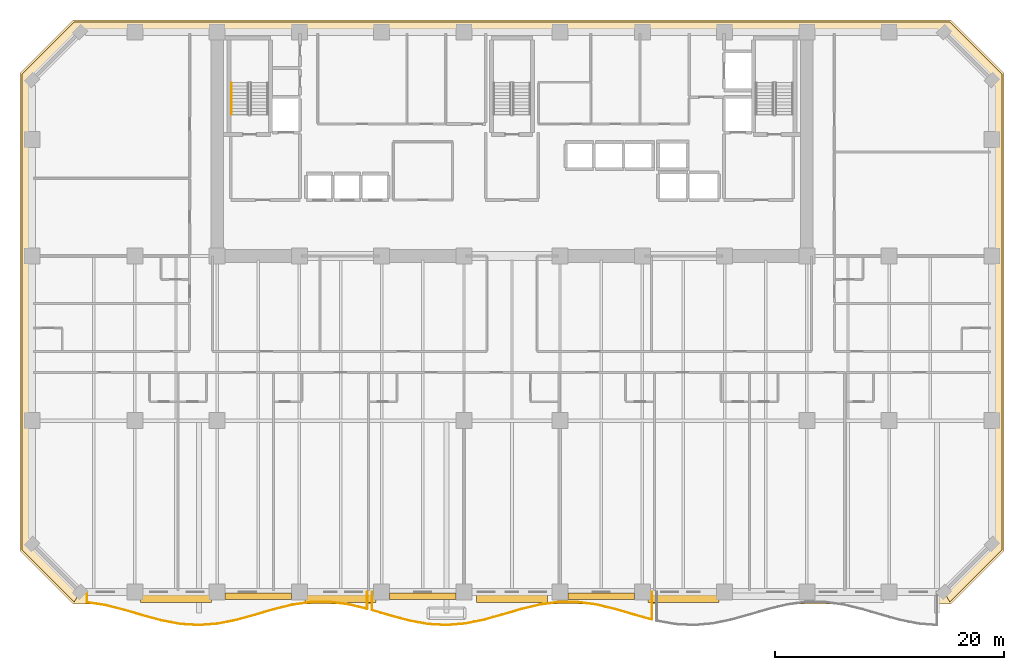
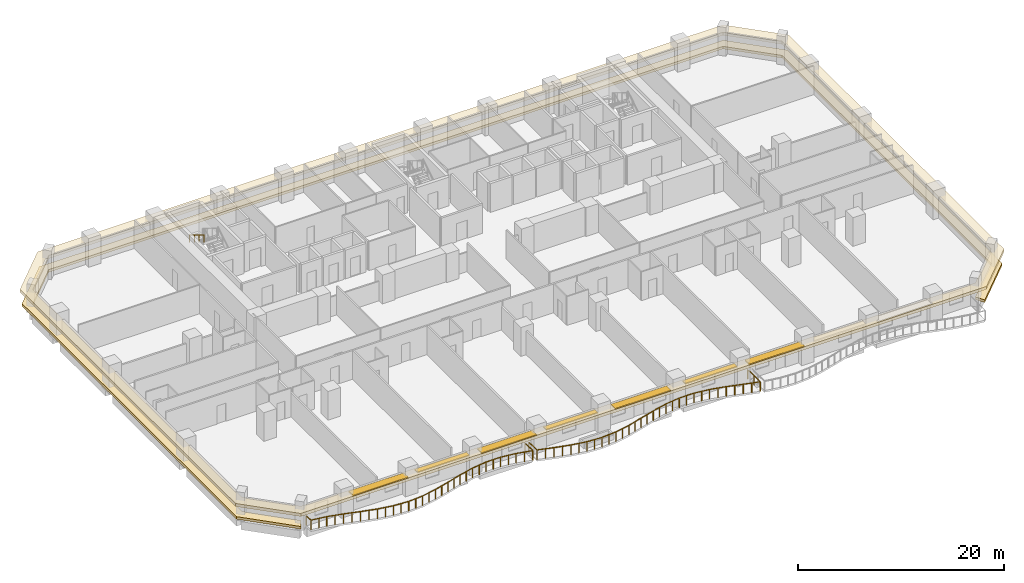
# One storey, part 11 of 14: 7 shading devices, 3 railings, 2 coverings.
"""IFC4 building model written with IfcOpenShell, lengths in metres."""

from ifc_helpers import new_model, si_unit, direction, frame, origin, origin_2d, place, context, subcontext, project, spatial, polyline, rectangle, outline, extrude, material, layer, layer_set, type_object, element, save


model = new_model("IFC4")

# Units and contexts
model_context = context("Model", 3, precision=1e-05, world=origin(), true_north=direction((0.0, 1.0)))
body_context = subcontext(model_context, "Body", "Model", "MODEL_VIEW")
ifc_project = project(units=[si_unit("LENGTHUNIT", "METRE"), si_unit("AREAUNIT", "SQUARE_METRE"), si_unit("VOLUMEUNIT", "CUBIC_METRE"), si_unit("PLANEANGLEUNIT", "RADIAN"), si_unit("MASSUNIT", "GRAM", prefix="KILO")], contexts=[model_context])

# Site, building, storey
site_placement = place(None, origin())
site = spatial("IfcSite", under=ifc_project, at=site_placement, CompositionType="ELEMENT")
building_placement = place(site_placement, origin())
building = spatial("IfcBuilding", under=site, at=building_placement, Name="Kaelvorn Grand Hotel", CompositionType="ELEMENT")
storey_placement = place(building_placement, frame((0.0, 0.0, 76.39990234375)))
storey = spatial("IfcBuildingStorey", under=building, at=storey_placement, Name="L17", CompositionType="ELEMENT", Elevation=76.39990234375)

# Coverings
ifc_material_1 = material(Name="Precast concrete C45/55", Category="concrete")
ifc_layer_1 = layer(ifc_material_1, 0.260009765625)
ifc_layer_set_1 = layer_set([ifc_layer_1], Name="Precast concrete C45/55")
covering_type_1 = type_object("IfcCoveringType", Name="COV-BAND-STREAMLINE-HEAD", PredefinedType="CLADDING", material=ifc_layer_set_1)
covering_1_placement = place(storey_placement, frame((0.0, 0.0, 2.070068359375)))
element("IfcCovering", 1, at=covering_1_placement, inside=storey, type_object=covering_type_1, Name="L17 Streamline Moderne Wraparound Horizontal Eyebrow Band", PredefinedType="CLADDING", context=body_context, shape_type="SweptSolid", body=[
    extrude(outline(polyline([(3.590087890625, -1.050048828125), (80.409912109375, -1.050048828125), (85.050048828125, 3.590087890625), (85.050048828125, 45.409912109375), (80.409912109375, 50.050048828125), (3.590087890625, 50.050048828125), (-1.050048828125, 45.409912109375), (-1.050048828125, 3.590087890625), (3.590087890625, -1.050048828125)]), holes=[polyline([(4.219970703125, 0.030029296875), (79.780029296875, 0.030029296875), (83.969970703125, 4.219970703125), (83.969970703125, 44.780029296875), (79.780029296875, 48.969970703125), (4.219970703125, 48.969970703125), (0.030029296875, 44.780029296875), (0.030029296875, 4.219970703125), (4.219970703125, 0.030029296875)])]), origin(), (0.0, 0.0, 1.0), 0.360107421875),
])
ifc_layer_2 = layer(ifc_material_1, 0.219970703125)
ifc_layer_set_2 = layer_set([ifc_layer_2], Name="Precast concrete C45/55")
covering_type_2 = type_object("IfcCoveringType", Name="COV-BAND-STREAMLINE-SILL", PredefinedType="CLADDING", material=ifc_layer_set_2)
covering_2_placement = place(storey_placement, frame((0.0, 0.0, 0.4501953125)))
element("IfcCovering", 2, at=covering_2_placement, inside=storey, type_object=covering_type_2, Name="L17 Streamline Moderne Wraparound Horizontal Sill Spandrel Band", PredefinedType="CLADDING", context=body_context, shape_type="SweptSolid", body=[
    extrude(outline(polyline([(80.3154296875, -0.8798828125), (84.8798828125, 3.6845703125), (84.8798828125, 45.3154296875), (80.3154296875, 49.8798828125), (3.6845703125, 49.8798828125), (-0.8798828125, 45.3154296875), (-0.8798828125, 3.6845703125), (3.6845703125, -0.8798828125), (4.217529296875, 0.030029296875), (0.030029296875, 4.217529296875), (0.030029296875, 44.782470703125), (4.217529296875, 48.969970703125), (79.782470703125, 48.969970703125), (83.969970703125, 44.782470703125), (83.969970703125, 4.217529296875), (79.782470703125, 0.030029296875), (80.3154296875, -0.8798828125)])), origin(), (0.0, 0.0, 1.0), 0.2998046875),
])

# Railings
ifc_material_2 = material(Name="Stainless Steel", Category="steel")
railing_type_1 = type_object("IfcRailingType", Name="RL-BALC-1150", PredefinedType="BALUSTRADE", material=ifc_material_2)
railing_1_placement = place(storey_placement, frame((4.800048828125, 0.0, 0.0)))
element("IfcRailing", 3, at=railing_1_placement, inside=storey, type_object=railing_type_1, Name="L17 Scalloped Wave Balcony Balustrade GR1-1", PredefinedType="BALUSTRADE", context=body_context, shape_type="SweptSolid", body=[
    extrude(rectangle(XDim=0.048095703125, YDim=0.048095703125, at=origin_2d()), frame((0.0, 0.0, 1.1259765625), z_axis=(0.0, -1.0, 0.0), x_axis=(1.0, 0.0, 0.0)), (0.0, 0.0, 1.0), 0.900146484375),
    extrude(rectangle(XDim=0.048095703125, YDim=0.048095703125, at=origin_2d()), frame((0.0, -0.900146484375, 1.1259765625), z_axis=(0.988207407969, -0.153121255332, 0.0), x_axis=(0.153121255332, 0.988207407969, 0.0)), (0.0, 0.0, 1.0), 1.655029296875),
    extrude(rectangle(XDim=0.048095703125, YDim=0.048095703125, at=origin_2d()), frame((1.635498046875, -1.153564453125, 1.1259765625), z_axis=(0.969483457617, -0.245156736409, 0.0), x_axis=(0.245156736409, 0.969483457617, 0.0)), (0.0, 0.0, 1.0), 1.68701171875),
    extrude(rectangle(XDim=0.048095703125, YDim=0.048095703125, at=origin_2d()), frame((3.27099609375, -1.567138671875, 1.1259765625), z_axis=(0.959233169968, -0.282615862316, 0.0), x_axis=(0.282615862316, 0.959233169968, 0.0)), (0.0, 0.0, 1.0), 1.705322265625),
    extrude(rectangle(XDim=0.048095703125, YDim=0.048095703125, at=origin_2d()), frame((4.90673828125, -2.049072265625, 1.1259765625), z_axis=(0.965164997987, -0.26164198184, 0.0), x_axis=(0.26164198184, 0.965164997987, 0.0)), (0.0, 0.0, 1.0), 1.694580078125),
    extrude(rectangle(XDim=0.048095703125, YDim=0.048095703125, at=origin_2d()), frame((6.542236328125, -2.492431640625, 1.1259765625), z_axis=(0.982926958604, -0.183996179443, 0.0), x_axis=(0.183996179443, 0.982926958604, 0.0)), (0.0, 0.0, 1.0), 1.663818359375),
    extrude(rectangle(XDim=0.048095703125, YDim=0.048095703125, at=origin_2d()), frame((8.177734375, -2.798583984375, 1.1259765625), z_axis=(0.998095816111, -0.061682589621, 0.0), x_axis=(0.061682589621, 0.998095816111, 0.0)), (0.0, 0.0, 1.0), 1.638671875),
    extrude(rectangle(XDim=0.048095703125, YDim=0.048095703125, at=origin_2d()), frame((9.813232421875, -2.899658203125, 1.1259765625), z_axis=(0.997023764101, 0.077094836514, 0.0), x_axis=(-0.077094836514, 0.997023764101, 0.0)), (0.0, 0.0, 1.0), 1.640380859375),
    extrude(rectangle(XDim=0.048095703125, YDim=0.048095703125, at=origin_2d()), frame((11.44873046875, -2.773193359375, 1.1259765625), z_axis=(0.980693108013, 0.19555313318, 0.0), x_axis=(-0.19555313318, 0.980693108013, 0.0)), (0.0, 0.0, 1.0), 1.66796875),
    extrude(rectangle(XDim=0.048095703125, YDim=0.048095703125, at=origin_2d()), frame((13.08447265625, -2.447021484375, 1.1259765625), z_axis=(0.963696999215, 0.266998302813, 0.0), x_axis=(-0.266998302813, 0.963696999215, 0.0)), (0.0, 0.0, 1.0), 1.697021484375),
    extrude(rectangle(XDim=0.048095703125, YDim=0.048095703125, at=origin_2d()), frame((14.719970703125, -1.993896484375, 1.1259765625), z_axis=(0.959609209401, 0.28133639159, 0.0), x_axis=(-0.28133639159, 0.959609209401, 0.0)), (0.0, 0.0, 1.0), 1.704345703125),
    extrude(rectangle(XDim=0.048095703125, YDim=0.048095703125, at=origin_2d()), frame((16.35546875, -1.514404296875, 1.1259765625), z_axis=(0.971450272651, 0.237243267063, 0.0), x_axis=(-0.237243267063, 0.971450272651, 0.0)), (0.0, 0.0, 1.0), 1.68359375),
    extrude(rectangle(XDim=0.048095703125, YDim=0.048095703125, at=origin_2d()), frame((17.990966796875, -1.114990234375, 1.1259765625), z_axis=(0.990219604351, 0.139517508434, 0.0), x_axis=(-0.139517508434, 0.990219604351, 0.0)), (0.0, 0.0, 1.0), 1.65185546875),
    extrude(rectangle(XDim=0.048095703125, YDim=0.048095703125, at=origin_2d()), frame((19.626708984375, -0.884521484375, 1.1259765625), z_axis=(0.999978430437, 0.006568002827, 0.0), x_axis=(-0.006568002827, 0.999978430437, 0.0)), (0.0, 0.0, 1.0), 1.635498046875),
    extrude(rectangle(XDim=0.048095703125, YDim=0.048095703125, at=origin_2d()), frame((21.26220703125, -0.873779296875, 1.1259765625), z_axis=(0.991728699093, -0.128351811034, 0.0), x_axis=(0.128351811034, 0.991728699093, 0.0)), (0.0, 0.0, 1.0), 1.649169921875),
    extrude(rectangle(XDim=0.048095703125, YDim=0.048095703125, at=origin_2d()), frame((22.897705078125, -1.08544921875, 1.1259765625), z_axis=(0.973100001254, -0.230383132108, 0.0), x_axis=(0.230383132108, 0.973100001254, 0.0)), (0.0, 0.0, 1.0), 1.6806640625),
    extrude(rectangle(XDim=0.048095703125, YDim=0.048095703125, at=origin_2d()), frame((24.533203125, -1.47265625, 1.1259765625), z_axis=(0.0, 1.0, 0.0), x_axis=(-1.0, 0.0, 0.0)), (0.0, 0.0, 1.0), 1.47265625),
    extrude(rectangle(XDim=0.0419921875, YDim=0.0419921875, at=origin_2d()), origin(), (0.0, 0.0, 1.0), 1.101806640625),
    extrude(rectangle(XDim=0.0419921875, YDim=0.0419921875, at=origin_2d()), frame((0.0, -0.900146484375, 0.0)), (0.0, 0.0, 1.0), 1.101806640625),
    extrude(rectangle(XDim=0.0419921875, YDim=0.0419921875, at=origin_2d()), frame((0.81787109375, -1.02685546875, 0.0)), (0.0, 0.0, 1.0), 1.101806640625),
    extrude(rectangle(XDim=0.0419921875, YDim=0.0419921875, at=origin_2d()), frame((1.635498046875, -1.153564453125, 0.0)), (0.0, 0.0, 1.0), 1.101806640625),
    extrude(rectangle(XDim=0.0419921875, YDim=0.0419921875, at=origin_2d()), frame((2.453125, -1.3603515625, 0.0)), (0.0, 0.0, 1.0), 1.101806640625),
    extrude(rectangle(XDim=0.0419921875, YDim=0.0419921875, at=origin_2d()), frame((3.27099609375, -1.567138671875, 0.0)), (0.0, 0.0, 1.0), 1.101806640625),
    extrude(rectangle(XDim=0.0419921875, YDim=0.0419921875, at=origin_2d()), frame((4.0888671875, -1.80810546875, 0.0)), (0.0, 0.0, 1.0), 1.101806640625),
    extrude(rectangle(XDim=0.0419921875, YDim=0.0419921875, at=origin_2d()), frame((4.90673828125, -2.049072265625, 0.0)), (0.0, 0.0, 1.0), 1.101806640625),
    extrude(rectangle(XDim=0.0419921875, YDim=0.0419921875, at=origin_2d()), frame((5.724609375, -2.270751953125, 0.0)), (0.0, 0.0, 1.0), 1.101806640625),
    extrude(rectangle(XDim=0.0419921875, YDim=0.0419921875, at=origin_2d()), frame((6.542236328125, -2.492431640625, 0.0)), (0.0, 0.0, 1.0), 1.101806640625),
    extrude(rectangle(XDim=0.0419921875, YDim=0.0419921875, at=origin_2d()), frame((7.35986328125, -2.6455078125, 0.0)), (0.0, 0.0, 1.0), 1.101806640625),
    extrude(rectangle(XDim=0.0419921875, YDim=0.0419921875, at=origin_2d()), frame((8.177734375, -2.798583984375, 0.0)), (0.0, 0.0, 1.0), 1.101806640625),
    extrude(rectangle(XDim=0.0419921875, YDim=0.0419921875, at=origin_2d()), frame((8.99560546875, -2.84912109375, 0.0)), (0.0, 0.0, 1.0), 1.101806640625),
    extrude(rectangle(XDim=0.0419921875, YDim=0.0419921875, at=origin_2d()), frame((9.813232421875, -2.899658203125, 0.0)), (0.0, 0.0, 1.0), 1.101806640625),
    extrude(rectangle(XDim=0.0419921875, YDim=0.0419921875, at=origin_2d()), frame((10.630859375, -2.83642578125, 0.0)), (0.0, 0.0, 1.0), 1.101806640625),
    extrude(rectangle(XDim=0.0419921875, YDim=0.0419921875, at=origin_2d()), frame((11.44873046875, -2.773193359375, 0.0)), (0.0, 0.0, 1.0), 1.101806640625),
    extrude(rectangle(XDim=0.0419921875, YDim=0.0419921875, at=origin_2d()), frame((12.2666015625, -2.610107421875, 0.0)), (0.0, 0.0, 1.0), 1.101806640625),
    extrude(rectangle(XDim=0.0419921875, YDim=0.0419921875, at=origin_2d()), frame((13.08447265625, -2.447021484375, 0.0)), (0.0, 0.0, 1.0), 1.101806640625),
    extrude(rectangle(XDim=0.0419921875, YDim=0.0419921875, at=origin_2d()), frame((13.90234375, -2.220458984375, 0.0)), (0.0, 0.0, 1.0), 1.101806640625),
    extrude(rectangle(XDim=0.0419921875, YDim=0.0419921875, at=origin_2d()), frame((14.719970703125, -1.993896484375, 0.0)), (0.0, 0.0, 1.0), 1.101806640625),
    extrude(rectangle(XDim=0.0419921875, YDim=0.0419921875, at=origin_2d()), frame((15.53759765625, -1.754150390625, 0.0)), (0.0, 0.0, 1.0), 1.101806640625),
    extrude(rectangle(XDim=0.0419921875, YDim=0.0419921875, at=origin_2d()), frame((16.35546875, -1.514404296875, 0.0)), (0.0, 0.0, 1.0), 1.101806640625),
    extrude(rectangle(XDim=0.0419921875, YDim=0.0419921875, at=origin_2d()), frame((17.17333984375, -1.314697265625, 0.0)), (0.0, 0.0, 1.0), 1.101806640625),
    extrude(rectangle(XDim=0.0419921875, YDim=0.0419921875, at=origin_2d()), frame((17.990966796875, -1.114990234375, 0.0)), (0.0, 0.0, 1.0), 1.101806640625),
    extrude(rectangle(XDim=0.0419921875, YDim=0.0419921875, at=origin_2d()), frame((18.808837890625, -0.999755859375, 0.0)), (0.0, 0.0, 1.0), 1.101806640625),
    extrude(rectangle(XDim=0.0419921875, YDim=0.0419921875, at=origin_2d()), frame((19.626708984375, -0.884521484375, 0.0)), (0.0, 0.0, 1.0), 1.101806640625),
    extrude(rectangle(XDim=0.0419921875, YDim=0.0419921875, at=origin_2d()), frame((20.4443359375, -0.879150390625, 0.0)), (0.0, 0.0, 1.0), 1.101806640625),
    extrude(rectangle(XDim=0.0419921875, YDim=0.0419921875, at=origin_2d()), frame((21.26220703125, -0.873779296875, 0.0)), (0.0, 0.0, 1.0), 1.101806640625),
    extrude(rectangle(XDim=0.0419921875, YDim=0.0419921875, at=origin_2d()), frame((22.080078125, -0.9794921875, 0.0)), (0.0, 0.0, 1.0), 1.101806640625),
    extrude(rectangle(XDim=0.0419921875, YDim=0.0419921875, at=origin_2d()), frame((22.897705078125, -1.08544921875, 0.0)), (0.0, 0.0, 1.0), 1.101806640625),
    extrude(rectangle(XDim=0.0419921875, YDim=0.0419921875, at=origin_2d()), frame((23.71533203125, -1.279052734375, 0.0)), (0.0, 0.0, 1.0), 1.101806640625),
    extrude(rectangle(XDim=0.0419921875, YDim=0.0419921875, at=origin_2d()), frame((24.533203125, -1.47265625, 0.0)), (0.0, 0.0, 1.0), 1.101806640625),
    extrude(rectangle(XDim=0.0419921875, YDim=0.0419921875, at=origin_2d()), frame((24.533203125, 0.0, 0.0)), (0.0, 0.0, 1.0), 1.101806640625),
])
railing_2_placement = place(storey_placement, frame((29.7333984375, 0.0, 0.0)))
element("IfcRailing", 4, at=railing_2_placement, inside=storey, type_object=railing_type_1, Name="L17 Scalloped Wave Balcony Balustrade GR1-2", PredefinedType="BALUSTRADE", context=body_context, shape_type="SweptSolid", body=[
    extrude(rectangle(XDim=0.048095703125, YDim=0.048095703125, at=origin_2d()), frame((0.0, 0.0, 1.1259765625), z_axis=(0.0, -1.0, 0.0), x_axis=(1.0, 0.0, 0.0)), (0.0, 0.0, 1.0), 1.584716796875),
    extrude(rectangle(XDim=0.048095703125, YDim=0.048095703125, at=origin_2d()), frame((0.0, -1.584716796875, 1.1259765625), z_axis=(0.959105197492, -0.283049854522, 0.0), x_axis=(0.283049854522, 0.959105197492, 0.0)), (0.0, 0.0, 1.0), 1.705322265625),
    extrude(rectangle(XDim=0.048095703125, YDim=0.048095703125, at=origin_2d()), frame((1.635498046875, -2.0673828125, 1.1259765625), z_axis=(0.96570895118, -0.259627081814, 0.0), x_axis=(0.259627081814, 0.96570895118, 0.0)), (0.0, 0.0, 1.0), 1.693603515625),
    extrude(rectangle(XDim=0.048095703125, YDim=0.048095703125, at=origin_2d()), frame((3.27099609375, -2.507080078125, 1.1259765625), z_axis=(0.983662506195, -0.180022426122, 0.0), x_axis=(0.180022426122, 0.983662506195, 0.0)), (0.0, 0.0, 1.0), 1.66259765625),
    extrude(rectangle(XDim=0.048095703125, YDim=0.048095703125, at=origin_2d()), frame((4.906494140625, -2.806396484375, 1.1259765625), z_axis=(0.998403907384, -0.056476877746, 0.0), x_axis=(0.056476877746, 0.998403907384, 0.0)), (0.0, 0.0, 1.0), 1.638427734375),
    extrude(rectangle(XDim=0.048095703125, YDim=0.048095703125, at=origin_2d()), frame((6.542236328125, -2.89892578125, 1.1259765625), z_axis=(0.996610094372, 0.082269798804, 0.0), x_axis=(-0.082269798804, 0.996610094372, 0.0)), (0.0, 0.0, 1.0), 1.64111328125),
    extrude(rectangle(XDim=0.048095703125, YDim=0.048095703125, at=origin_2d()), frame((8.177734375, -2.763916015625, 1.1259765625), z_axis=(0.979979738677, 0.199097242027, 0.0), x_axis=(-0.199097242027, 0.979979738677, 0.0)), (0.0, 0.0, 1.0), 1.6689453125),
    extrude(rectangle(XDim=0.048095703125, YDim=0.048095703125, at=origin_2d()), frame((9.813232421875, -2.431640625, 1.1259765625), z_axis=(0.963251690304, 0.268600411627, 0.0), x_axis=(-0.268600411627, 0.963251690304, 0.0)), (0.0, 0.0, 1.0), 1.697998046875),
    extrude(rectangle(XDim=0.048095703125, YDim=0.048095703125, at=origin_2d()), frame((11.44873046875, -1.9755859375, 1.1259765625), z_axis=(0.95977507509, 0.280770021967, 0.0), x_axis=(-0.280770021967, 0.95977507509, 0.0)), (0.0, 0.0, 1.0), 1.704345703125),
    extrude(rectangle(XDim=0.048095703125, YDim=0.048095703125, at=origin_2d()), frame((13.08447265625, -1.4970703125, 1.1259765625), z_axis=(0.972148369978, 0.234366266236, 0.0), x_axis=(-0.234366266236, 0.972148369978, 0.0)), (0.0, 0.0, 1.0), 1.682373046875),
    extrude(rectangle(XDim=0.048095703125, YDim=0.048095703125, at=origin_2d()), frame((14.719970703125, -1.102783203125, 1.1259765625), z_axis=(0.990840065963, 0.135040600123, 0.0), x_axis=(-0.135040600123, 0.990840065963, 0.0)), (0.0, 0.0, 1.0), 1.650634765625),
    extrude(rectangle(XDim=0.048095703125, YDim=0.048095703125, at=origin_2d()), frame((16.35546875, -0.8798828125, 1.1259765625), z_axis=(0.999999286934, 0.001194207239, 0.0), x_axis=(-0.001194207239, 0.999999286934, 0.0)), (0.0, 0.0, 1.0), 1.635498046875),
    extrude(rectangle(XDim=0.048095703125, YDim=0.048095703125, at=origin_2d()), frame((17.990966796875, -0.8779296875, 1.1259765625), z_axis=(0.991117742947, -0.132987291181, 0.0), x_axis=(0.132987291181, 0.991117742947, 0.0)), (0.0, 0.0, 1.0), 1.650390625),
    extrude(rectangle(XDim=0.048095703125, YDim=0.048095703125, at=origin_2d()), frame((19.626708984375, -1.097412109375, 1.1259765625), z_axis=(0.972412331171, -0.233268639527, 0.0), x_axis=(0.233268639527, 0.972412331171, 0.0)), (0.0, 0.0, 1.0), 1.681884765625),
    extrude(rectangle(XDim=0.048095703125, YDim=0.048095703125, at=origin_2d()), frame((21.26220703125, -1.48974609375, 1.1259765625), z_axis=(0.959879550233, -0.280412640664, 0.0), x_axis=(0.280412640664, 0.959879550233, 0.0)), (0.0, 0.0, 1.0), 1.703857421875),
    extrude(rectangle(XDim=0.048095703125, YDim=0.048095703125, at=origin_2d()), frame((22.897705078125, -1.967529296875, 1.1259765625), z_axis=(0.963065481096, -0.269267300506, 0.0), x_axis=(0.269267300506, 0.963065481096, 0.0)), (0.0, 0.0, 1.0), 1.6982421875),
    extrude(rectangle(XDim=0.048095703125, YDim=0.048095703125, at=origin_2d()), frame((24.533203125, -2.4248046875, 1.1259765625), z_axis=(0.0, 1.0, 0.0), x_axis=(-1.0, 0.0, 0.0)), (0.0, 0.0, 1.0), 2.4248046875),
    extrude(rectangle(XDim=0.0419921875, YDim=0.0419921875, at=origin_2d()), origin(), (0.0, 0.0, 1.0), 1.101806640625),
    extrude(rectangle(XDim=0.0419921875, YDim=0.0419921875, at=origin_2d()), frame((0.0, -1.584716796875, 0.0)), (0.0, 0.0, 1.0), 1.101806640625),
    extrude(rectangle(XDim=0.0419921875, YDim=0.0419921875, at=origin_2d()), frame((0.81787109375, -1.826171875, 0.0)), (0.0, 0.0, 1.0), 1.101806640625),
    extrude(rectangle(XDim=0.0419921875, YDim=0.0419921875, at=origin_2d()), frame((1.635498046875, -2.0673828125, 0.0)), (0.0, 0.0, 1.0), 1.101806640625),
    extrude(rectangle(XDim=0.0419921875, YDim=0.0419921875, at=origin_2d()), frame((2.453125, -2.287109375, 0.0)), (0.0, 0.0, 1.0), 1.101806640625),
    extrude(rectangle(XDim=0.0419921875, YDim=0.0419921875, at=origin_2d()), frame((3.27099609375, -2.507080078125, 0.0)), (0.0, 0.0, 1.0), 1.101806640625),
    extrude(rectangle(XDim=0.0419921875, YDim=0.0419921875, at=origin_2d()), frame((4.0888671875, -2.65673828125, 0.0)), (0.0, 0.0, 1.0), 1.101806640625),
    extrude(rectangle(XDim=0.0419921875, YDim=0.0419921875, at=origin_2d()), frame((4.906494140625, -2.806396484375, 0.0)), (0.0, 0.0, 1.0), 1.101806640625),
    extrude(rectangle(XDim=0.0419921875, YDim=0.0419921875, at=origin_2d()), frame((5.724365234375, -2.8525390625, 0.0)), (0.0, 0.0, 1.0), 1.101806640625),
    extrude(rectangle(XDim=0.0419921875, YDim=0.0419921875, at=origin_2d()), frame((6.542236328125, -2.89892578125, 0.0)), (0.0, 0.0, 1.0), 1.101806640625),
    extrude(rectangle(XDim=0.0419921875, YDim=0.0419921875, at=origin_2d()), frame((7.35986328125, -2.83154296875, 0.0)), (0.0, 0.0, 1.0), 1.101806640625),
    extrude(rectangle(XDim=0.0419921875, YDim=0.0419921875, at=origin_2d()), frame((8.177734375, -2.763916015625, 0.0)), (0.0, 0.0, 1.0), 1.101806640625),
    extrude(rectangle(XDim=0.0419921875, YDim=0.0419921875, at=origin_2d()), frame((8.99560546875, -2.59765625, 0.0)), (0.0, 0.0, 1.0), 1.101806640625),
    extrude(rectangle(XDim=0.0419921875, YDim=0.0419921875, at=origin_2d()), frame((9.813232421875, -2.431640625, 0.0)), (0.0, 0.0, 1.0), 1.101806640625),
    extrude(rectangle(XDim=0.0419921875, YDim=0.0419921875, at=origin_2d()), frame((10.630859375, -2.20361328125, 0.0)), (0.0, 0.0, 1.0), 1.101806640625),
    extrude(rectangle(XDim=0.0419921875, YDim=0.0419921875, at=origin_2d()), frame((11.44873046875, -1.9755859375, 0.0)), (0.0, 0.0, 1.0), 1.101806640625),
    extrude(rectangle(XDim=0.0419921875, YDim=0.0419921875, at=origin_2d()), frame((12.2666015625, -1.736328125, 0.0)), (0.0, 0.0, 1.0), 1.101806640625),
    extrude(rectangle(XDim=0.0419921875, YDim=0.0419921875, at=origin_2d()), frame((13.08447265625, -1.4970703125, 0.0)), (0.0, 0.0, 1.0), 1.101806640625),
    extrude(rectangle(XDim=0.0419921875, YDim=0.0419921875, at=origin_2d()), frame((13.90234375, -1.2998046875, 0.0)), (0.0, 0.0, 1.0), 1.101806640625),
    extrude(rectangle(XDim=0.0419921875, YDim=0.0419921875, at=origin_2d()), frame((14.719970703125, -1.102783203125, 0.0)), (0.0, 0.0, 1.0), 1.101806640625),
    extrude(rectangle(XDim=0.0419921875, YDim=0.0419921875, at=origin_2d()), frame((15.53759765625, -0.9912109375, 0.0)), (0.0, 0.0, 1.0), 1.101806640625),
    extrude(rectangle(XDim=0.0419921875, YDim=0.0419921875, at=origin_2d()), frame((16.35546875, -0.8798828125, 0.0)), (0.0, 0.0, 1.0), 1.101806640625),
    extrude(rectangle(XDim=0.0419921875, YDim=0.0419921875, at=origin_2d()), frame((17.17333984375, -0.87890625, 0.0)), (0.0, 0.0, 1.0), 1.101806640625),
    extrude(rectangle(XDim=0.0419921875, YDim=0.0419921875, at=origin_2d()), frame((17.990966796875, -0.8779296875, 0.0)), (0.0, 0.0, 1.0), 1.101806640625),
    extrude(rectangle(XDim=0.0419921875, YDim=0.0419921875, at=origin_2d()), frame((18.808837890625, -0.98779296875, 0.0)), (0.0, 0.0, 1.0), 1.101806640625),
    extrude(rectangle(XDim=0.0419921875, YDim=0.0419921875, at=origin_2d()), frame((19.626708984375, -1.097412109375, 0.0)), (0.0, 0.0, 1.0), 1.101806640625),
    extrude(rectangle(XDim=0.0419921875, YDim=0.0419921875, at=origin_2d()), frame((20.4443359375, -1.29345703125, 0.0)), (0.0, 0.0, 1.0), 1.101806640625),
    extrude(rectangle(XDim=0.0419921875, YDim=0.0419921875, at=origin_2d()), frame((21.26220703125, -1.48974609375, 0.0)), (0.0, 0.0, 1.0), 1.101806640625),
    extrude(rectangle(XDim=0.0419921875, YDim=0.0419921875, at=origin_2d()), frame((22.080078125, -1.728515625, 0.0)), (0.0, 0.0, 1.0), 1.101806640625),
    extrude(rectangle(XDim=0.0419921875, YDim=0.0419921875, at=origin_2d()), frame((22.897705078125, -1.967529296875, 0.0)), (0.0, 0.0, 1.0), 1.101806640625),
    extrude(rectangle(XDim=0.0419921875, YDim=0.0419921875, at=origin_2d()), frame((23.71533203125, -2.1962890625, 0.0)), (0.0, 0.0, 1.0), 1.101806640625),
    extrude(rectangle(XDim=0.0419921875, YDim=0.0419921875, at=origin_2d()), frame((24.533203125, -2.4248046875, 0.0)), (0.0, 0.0, 1.0), 1.101806640625),
    extrude(rectangle(XDim=0.0419921875, YDim=0.0419921875, at=origin_2d()), frame((24.533203125, -1.21240234375, 0.0)), (0.0, 0.0, 1.0), 1.101806640625),
    extrude(rectangle(XDim=0.0419921875, YDim=0.0419921875, at=origin_2d()), frame((24.533203125, 0.0, 0.0)), (0.0, 0.0, 1.0), 1.101806640625),
])
railing_type_2 = type_object("IfcRailingType", Name="RL-HANDRAIL-900", PredefinedType="HANDRAIL", material=ifc_material_2)
railing_3_placement = place(storey_placement, frame((17.449951171875, 44.56005859375, 2.045654296875)))
element("IfcRailing", 5, at=railing_3_placement, inside=storey, type_object=railing_type_2, Name="L17 ST1 stair handrail 2", PredefinedType="HANDRAIL", context=body_context, shape_type="SweptSolid", body=[
    extrude(rectangle(XDim=0.048095703125, YDim=0.048095703125, at=origin_2d()), frame((0.0, 0.0, 0.8759765625), z_axis=(0.0, -0.854202870247, 0.519939858505), x_axis=(1.0, 0.0, 0.0)), (0.0, 0.0, 1.0), 3.278076171875),
    extrude(rectangle(XDim=0.0419921875, YDim=0.0419921875, at=origin_2d()), origin(), (0.0, 0.0, 1.0), 0.851806640625),
    extrude(rectangle(XDim=0.0419921875, YDim=0.0419921875, at=origin_2d()), frame((0.0, -0.933349609375, 0.568115234375)), (0.0, 0.0, 1.0), 0.851806640625),
    extrude(rectangle(XDim=0.0419921875, YDim=0.0419921875, at=origin_2d()), frame((0.0, -1.86669921875, 1.13623046875)), (0.0, 0.0, 1.0), 0.851806640625),
    extrude(rectangle(XDim=0.0419921875, YDim=0.0419921875, at=origin_2d()), frame((0.0, -2.800048828125, 1.704345703125)), (0.0, 0.0, 1.0), 0.851806640625),
])

# Shading devices
ifc_layer_3 = layer(ifc_material_1, 0.1201171875)
ifc_layer_set_3 = layer_set([ifc_layer_3], Name="Precast concrete C45/55")
shading_device_type_1 = type_object("IfcShadingDeviceType", Name="SHD-SUNSHADE-550", PredefinedType="USERDEFINED", material=ifc_layer_set_3)
for number, where, z_axis, x_axis, name in (
    (6, (19.800048828125, -0.364990234375, 2.31005859375), (0.0, 0.0, 1.0), (1.0, 0.0, 0.0), "L17 Horizontal Concrete Sunshade Band SS-03"),
    (7, (34.199951171875, -0.364990234375, 2.31005859375), (0.0, 0.0, 1.0), (1.0, 0.0, 0.0), "L17 Horizontal Concrete Sunshade Band SS-05"),
    (8, (49.800048828125, -0.364990234375, 2.31005859375), (0.0, 0.0, 1.0), (1.0, 0.0, 0.0), "L17 Horizontal Concrete Sunshade Band SS-07"),
):
    element("IfcShadingDevice", number, at=place(storey_placement, frame(where, z_axis=z_axis, x_axis=x_axis)), inside=storey, type_object=shading_device_type_1, Name=name, ObjectType="SUNSHADE", PredefinedType="USERDEFINED", context=body_context, shape_type="SweptSolid", body=[
        extrude(rectangle(XDim=5.800048828125, YDim=0.550048828125, at=origin_2d()), origin(), (0.0, 0.0, 1.0), 0.1201171875),
    ])
ifc_layer_4 = layer(ifc_material_1, 0.139892578125)
ifc_layer_set_4 = layer_set([ifc_layer_4], Name="Precast concrete C45/55")
shading_device_type_2 = type_object("IfcShadingDeviceType", Name="SHD-SUNSHADE-850", PredefinedType="USERDEFINED", material=ifc_layer_set_4)
for number, where, z_axis, x_axis, name in (
    (9, (12.60009765625, -0.514892578125, 2.30029296875), (0.0, 0.0, 1.0), (1.0, 0.0, 0.0), "L17 Horizontal Concrete Sunshade Band SS-02"),
    (10, (27.0, -0.514892578125, 2.30029296875), (0.0, 0.0, 1.0), (1.0, 0.0, 0.0), "L17 Horizontal Concrete Sunshade Band SS-04"),
    (11, (42.0, -0.514892578125, 2.30029296875), (0.0, 0.0, 1.0), (1.0, 0.0, 0.0), "L17 Horizontal Concrete Sunshade Band SS-06"),
    (12, (57.0, -0.514892578125, 2.30029296875), (0.0, 0.0, 1.0), (1.0, 0.0, 0.0), "L17 Horizontal Concrete Sunshade Band SS-08"),
):
    element("IfcShadingDevice", number, at=place(storey_placement, frame(where, z_axis=z_axis, x_axis=x_axis)), inside=storey, type_object=shading_device_type_2, Name=name, ObjectType="SUNSHADE", PredefinedType="USERDEFINED", context=body_context, shape_type="SweptSolid", body=[
        extrude(rectangle(XDim=6.199951171875, YDim=0.85009765625, at=origin_2d()), origin(), (0.0, 0.0, 1.0), 0.139892578125),
    ])

save(model, "model.ifc")
